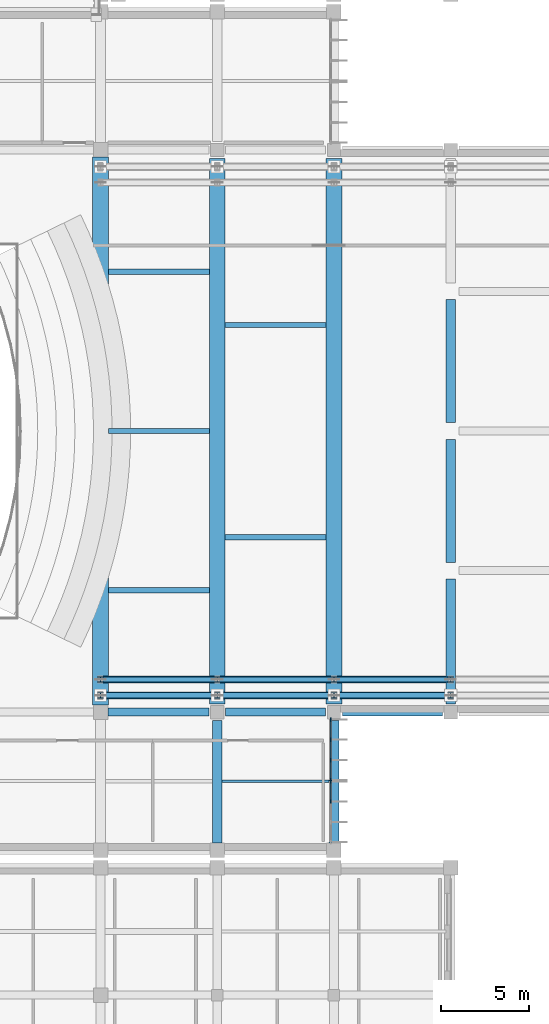
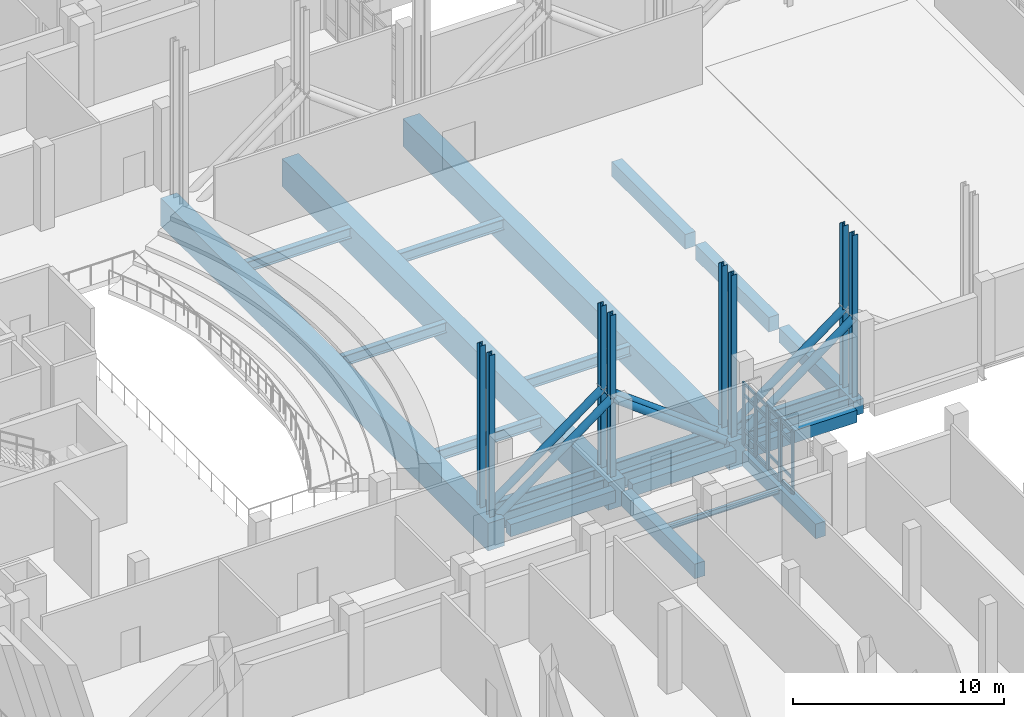
# One storey, part 13 of 73: 42 members, 17 beams, 2 elements without a shape of their own.
"""IFC4 building model written with IfcOpenShell, lengths in metres."""

from ifc_helpers import new_model, si_unit, direction, frame, origin, origin_2d, place, context, subcontext, project, spatial, rectangle, hollow_circle, i_section, extrude, material, layer, layer_set, material_profile, profile_set, type_object, element, aggregate, save


model = new_model("IFC4")

# Units and contexts
model_context = context("Model", 3, precision=1e-05, world=origin(), true_north=direction((0.0, 1.0)))
body_context = subcontext(model_context, "Body", "Model", "MODEL_VIEW")
ifc_project = project(units=[si_unit("LENGTHUNIT", "METRE"), si_unit("AREAUNIT", "SQUARE_METRE"), si_unit("VOLUMEUNIT", "CUBIC_METRE"), si_unit("PLANEANGLEUNIT", "RADIAN"), si_unit("MASSUNIT", "GRAM", prefix="KILO")], contexts=[model_context])

# Site, building, storey
site_placement = place(None, origin())
site = spatial("IfcSite", under=ifc_project, at=site_placement, CompositionType="ELEMENT")
building_placement = place(site_placement, origin())
building = spatial("IfcBuilding", under=site, at=building_placement, Name="Kelarvand Opera House", CompositionType="ELEMENT")
storey_placement = place(building_placement, frame((0.0, 0.0, 10.199951171875)))
storey = spatial("IfcBuildingStorey", under=building, at=storey_placement, Name="L02", CompositionType="ELEMENT", Elevation=10.199951171875)

# Curtain wall, members
ifc_material_1 = material(Name="Thermally broken aluminium and low-E glazing", Category="aluminium")
ifc_layer = layer(ifc_material_1, 0.219970703125, Name="Thermally broken aluminium and low-E glazing", Category="aluminium")
ifc_layer_set = layer_set([ifc_layer], Name="Thermally broken aluminium and low-E glazing")
curtain_wall_type = type_object("IfcCurtainWallType", Name="Unitised Low-E Curtain Wall 3493x3630 Mod 1150 CWF-05", PredefinedType="USERDEFINED", material=ifc_layer_set)
curtain_wall_1_placement = place(storey_placement, origin())
curtain_wall_1 = element("IfcCurtainWall", 1, at=curtain_wall_1_placement, inside=storey, type_object=curtain_wall_type, Name="V1 L02 Curtain Wall CWF-05 (19)", ObjectType="UNITISED CURTAIN WALL", PredefinedType="USERDEFINED")
ifc_material_2 = material(Name="Thermally broken anodised aluminium", Category="aluminium")
ifc_material_profile_1 = material_profile(ifc_material_2, rectangle(XDim=0.074951171875, YDim=0.219970703125, at=origin_2d()), Name="ALU MULLION 75x220", Category="aluminium")
ifc_profile_set_1 = profile_set([ifc_material_profile_1], Name="Thermally broken anodised aluminium")
member_type_1 = type_object("IfcMemberType", Name="Curtain Wall Mullion 75x220 Heavy Plaza", PredefinedType="MULLION", material=ifc_profile_set_1)
member_1_placement = place(storey_placement, frame((128.419921875, 46.177490234375, 0.0), z_axis=(0.0, 0.0, 1.0), x_axis=(1.0, 0.0, 0.0)))
member_1 = element("IfcMember", 2, at=member_1_placement, type_object=member_type_1, Name="CWF-05 mullion 1", PredefinedType="MULLION", context=body_context, shape_type="SweptSolid", body=[
    extrude(rectangle(XDim=0.074951171875, YDim=0.219970703125, at=origin_2d()), origin(), (0.0, 0.0, 1.0), 3.630126953125),
])
member_2_placement = place(storey_placement, frame((128.419921875, 45.050537109375, 0.0), z_axis=(0.0, 0.0, 1.0), x_axis=(1.0, 0.0, 0.0)))
member_2 = element("IfcMember", 3, at=member_2_placement, type_object=member_type_1, Name="CWF-05 mullion 2", PredefinedType="MULLION", context=body_context, shape_type="SweptSolid", body=[
    extrude(rectangle(XDim=0.074951171875, YDim=0.219970703125, at=origin_2d()), origin(), (0.0, 0.0, 1.0), 3.630126953125),
])
member_3_placement = place(storey_placement, frame((128.419921875, 43.885986328125, 0.0), z_axis=(0.0, 0.0, 1.0), x_axis=(1.0, 0.0, 0.0)))
member_3 = element("IfcMember", 4, at=member_3_placement, type_object=member_type_1, Name="CWF-05 mullion 3", PredefinedType="MULLION", context=body_context, shape_type="SweptSolid", body=[
    extrude(rectangle(XDim=0.074951171875, YDim=0.219970703125, at=origin_2d()), origin(), (0.0, 0.0, 1.0), 3.630126953125),
])
member_4_placement = place(storey_placement, frame((128.419921875, 42.759033203125, 0.0), z_axis=(0.0, 0.0, 1.0), x_axis=(1.0, 0.0, 0.0)))
member_4 = element("IfcMember", 5, at=member_4_placement, type_object=member_type_1, Name="CWF-05 mullion 4", PredefinedType="MULLION", context=body_context, shape_type="SweptSolid", body=[
    extrude(rectangle(XDim=0.074951171875, YDim=0.219970703125, at=origin_2d()), origin(), (0.0, 0.0, 1.0), 3.630126953125),
])

curtain_wall_2_placement = place(storey_placement, origin())
curtain_wall_2 = element("IfcCurtainWall", 6, at=curtain_wall_2_placement, inside=storey, type_object=curtain_wall_type, Name="V1 L02 Curtain Wall CWF-05 (20)", ObjectType="UNITISED CURTAIN WALL", PredefinedType="USERDEFINED")
member_5_placement = place(storey_placement, frame((128.419921875, 42.679931640625, 0.0), z_axis=(0.0, 0.0, 1.0), x_axis=(1.0, 0.0, 0.0)))
member_5 = element("IfcMember", 7, at=member_5_placement, type_object=member_type_1, Name="CWF-05 mullion 1", PredefinedType="MULLION", context=body_context, shape_type="SweptSolid", body=[
    extrude(rectangle(XDim=0.074951171875, YDim=0.219970703125, at=origin_2d()), origin(), (0.0, 0.0, 1.0), 3.630126953125),
])
member_6_placement = place(storey_placement, frame((128.419921875, 41.5517578125, 0.0), z_axis=(0.0, 0.0, 1.0), x_axis=(1.0, 0.0, 0.0)))
member_6 = element("IfcMember", 8, at=member_6_placement, type_object=member_type_1, Name="CWF-05 mullion 2", PredefinedType="MULLION", context=body_context, shape_type="SweptSolid", body=[
    extrude(rectangle(XDim=0.074951171875, YDim=0.219970703125, at=origin_2d()), origin(), (0.0, 0.0, 1.0), 3.630126953125),
])

# Member
ifc_material_profile_2 = material_profile(ifc_material_2, rectangle(XDim=0.074951171875, YDim=0.159912109375, at=origin_2d()), Name="ALU TRANSOM 75x160", Category="aluminium")
ifc_profile_set_2 = profile_set([ifc_material_profile_2], Name="Thermally broken anodised aluminium")
member_type_2 = type_object("IfcMemberType", Name="Curtain Wall Transom 75x160 Heavy Plaza", PredefinedType="USERDEFINED", material=ifc_profile_set_2)
member_7_placement = place(storey_placement, frame((128.419921875, 46.139892578125, 0.03759765625), z_axis=(0.0, -1.0, 0.0), x_axis=(1.0, 0.0, 0.0)))
member_7 = element("IfcMember", 9, at=member_7_placement, type_object=member_type_2, Name="CWF-05 transom 1.1", ObjectType="TRANSOM", PredefinedType="USERDEFINED", context=body_context, shape_type="SweptSolid", body=[
    extrude(rectangle(XDim=0.074951171875, YDim=0.159912109375, at=origin_2d()), origin(), (0.0, 0.0, 1.0), 1.052001953125),
])

member_8_placement = place(storey_placement, frame((128.419921875, 46.139892578125, 0.900146484375), z_axis=(0.0, -1.0, 0.0), x_axis=(1.0, 0.0, 0.0)))
member_8 = element("IfcMember", 10, at=member_8_placement, type_object=member_type_2, Name="CWF-05 transom 1.2", ObjectType="TRANSOM", PredefinedType="USERDEFINED", context=body_context, shape_type="SweptSolid", body=[
    extrude(rectangle(XDim=0.074951171875, YDim=0.159912109375, at=origin_2d()), origin(), (0.0, 0.0, 1.0), 1.052001953125),
])

member_9_placement = place(storey_placement, frame((128.419921875, 46.139892578125, 2.929931640625), z_axis=(0.0, -1.0, 0.0), x_axis=(1.0, 0.0, 0.0)))
member_9 = element("IfcMember", 11, at=member_9_placement, type_object=member_type_2, Name="CWF-05 transom 1.3", ObjectType="TRANSOM", PredefinedType="USERDEFINED", context=body_context, shape_type="SweptSolid", body=[
    extrude(rectangle(XDim=0.074951171875, YDim=0.159912109375, at=origin_2d()), origin(), (0.0, 0.0, 1.0), 1.052001953125),
])

member_10_placement = place(storey_placement, frame((128.419921875, 46.139892578125, 3.592529296875), z_axis=(0.0, -1.0, 0.0), x_axis=(1.0, 0.0, 0.0)))
member_10 = element("IfcMember", 12, at=member_10_placement, type_object=member_type_2, Name="CWF-05 transom 1.4", ObjectType="TRANSOM", PredefinedType="USERDEFINED", context=body_context, shape_type="SweptSolid", body=[
    extrude(rectangle(XDim=0.074951171875, YDim=0.159912109375, at=origin_2d()), origin(), (0.0, 0.0, 1.0), 1.052001953125),
])

member_11_placement = place(storey_placement, frame((128.419921875, 45.012939453125, 0.03759765625), z_axis=(0.0, -1.0, 0.0), x_axis=(1.0, 0.0, 0.0)))
member_11 = element("IfcMember", 13, at=member_11_placement, type_object=member_type_2, Name="CWF-05 transom 2.1", ObjectType="TRANSOM", PredefinedType="USERDEFINED", context=body_context, shape_type="SweptSolid", body=[
    extrude(rectangle(XDim=0.074951171875, YDim=0.159912109375, at=origin_2d()), origin(), (0.0, 0.0, 1.0), 1.08935546875),
])

member_12_placement = place(storey_placement, frame((128.419921875, 45.012939453125, 0.900146484375), z_axis=(0.0, -1.0, 0.0), x_axis=(1.0, 0.0, 0.0)))
member_12 = element("IfcMember", 14, at=member_12_placement, type_object=member_type_2, Name="CWF-05 transom 2.2", ObjectType="TRANSOM", PredefinedType="USERDEFINED", context=body_context, shape_type="SweptSolid", body=[
    extrude(rectangle(XDim=0.074951171875, YDim=0.159912109375, at=origin_2d()), origin(), (0.0, 0.0, 1.0), 1.08935546875),
])

member_13_placement = place(storey_placement, frame((128.419921875, 45.012939453125, 2.929931640625), z_axis=(0.0, -1.0, 0.0), x_axis=(1.0, 0.0, 0.0)))
member_13 = element("IfcMember", 15, at=member_13_placement, type_object=member_type_2, Name="CWF-05 transom 2.3", ObjectType="TRANSOM", PredefinedType="USERDEFINED", context=body_context, shape_type="SweptSolid", body=[
    extrude(rectangle(XDim=0.074951171875, YDim=0.159912109375, at=origin_2d()), origin(), (0.0, 0.0, 1.0), 1.08935546875),
])

member_14_placement = place(storey_placement, frame((128.419921875, 45.012939453125, 3.592529296875), z_axis=(0.0, -1.0, 0.0), x_axis=(1.0, 0.0, 0.0)))
member_14 = element("IfcMember", 16, at=member_14_placement, type_object=member_type_2, Name="CWF-05 transom 2.4", ObjectType="TRANSOM", PredefinedType="USERDEFINED", context=body_context, shape_type="SweptSolid", body=[
    extrude(rectangle(XDim=0.074951171875, YDim=0.159912109375, at=origin_2d()), origin(), (0.0, 0.0, 1.0), 1.08935546875),
])

member_15_placement = place(storey_placement, frame((128.419921875, 43.848388671875, 0.03759765625), z_axis=(0.0, -1.0, 0.0), x_axis=(1.0, 0.0, 0.0)))
member_15 = element("IfcMember", 17, at=member_15_placement, type_object=member_type_2, Name="CWF-05 transom 3.1", ObjectType="TRANSOM", PredefinedType="USERDEFINED", context=body_context, shape_type="SweptSolid", body=[
    extrude(rectangle(XDim=0.074951171875, YDim=0.159912109375, at=origin_2d()), origin(), (0.0, 0.0, 1.0), 1.052001953125),
])

member_16_placement = place(storey_placement, frame((128.419921875, 43.848388671875, 0.900146484375), z_axis=(0.0, -1.0, 0.0), x_axis=(1.0, 0.0, 0.0)))
member_16 = element("IfcMember", 18, at=member_16_placement, type_object=member_type_2, Name="CWF-05 transom 3.2", ObjectType="TRANSOM", PredefinedType="USERDEFINED", context=body_context, shape_type="SweptSolid", body=[
    extrude(rectangle(XDim=0.074951171875, YDim=0.159912109375, at=origin_2d()), origin(), (0.0, 0.0, 1.0), 1.052001953125),
])

member_17_placement = place(storey_placement, frame((128.419921875, 43.848388671875, 2.929931640625), z_axis=(0.0, -1.0, 0.0), x_axis=(1.0, 0.0, 0.0)))
member_17 = element("IfcMember", 19, at=member_17_placement, type_object=member_type_2, Name="CWF-05 transom 3.3", ObjectType="TRANSOM", PredefinedType="USERDEFINED", context=body_context, shape_type="SweptSolid", body=[
    extrude(rectangle(XDim=0.074951171875, YDim=0.159912109375, at=origin_2d()), origin(), (0.0, 0.0, 1.0), 1.052001953125),
])

member_18_placement = place(storey_placement, frame((128.419921875, 43.848388671875, 3.592529296875), z_axis=(0.0, -1.0, 0.0), x_axis=(1.0, 0.0, 0.0)))
member_18 = element("IfcMember", 20, at=member_18_placement, type_object=member_type_2, Name="CWF-05 transom 3.4", ObjectType="TRANSOM", PredefinedType="USERDEFINED", context=body_context, shape_type="SweptSolid", body=[
    extrude(rectangle(XDim=0.074951171875, YDim=0.159912109375, at=origin_2d()), origin(), (0.0, 0.0, 1.0), 1.052001953125),
])

aggregate(curtain_wall_1, [member_1, member_2, member_3, member_4, member_7, member_8, member_9, member_10, member_11, member_12, member_13, member_14, member_15, member_16, member_17, member_18])

member_19_placement = place(storey_placement, frame((128.419921875, 42.642578125, 0.03759765625), z_axis=(0.0, -1.0, 0.0), x_axis=(1.0, 0.0, 0.0)))
member_19 = element("IfcMember", 21, at=member_19_placement, type_object=member_type_2, Name="CWF-05 transom 1.1", ObjectType="TRANSOM", PredefinedType="USERDEFINED", context=body_context, shape_type="SweptSolid", body=[
    extrude(rectangle(XDim=0.074951171875, YDim=0.159912109375, at=origin_2d()), origin(), (0.0, 0.0, 1.0), 1.053466796875),
])

member_20_placement = place(storey_placement, frame((128.419921875, 42.642578125, 0.900146484375), z_axis=(0.0, -1.0, 0.0), x_axis=(1.0, 0.0, 0.0)))
member_20 = element("IfcMember", 22, at=member_20_placement, type_object=member_type_2, Name="CWF-05 transom 1.2", ObjectType="TRANSOM", PredefinedType="USERDEFINED", context=body_context, shape_type="SweptSolid", body=[
    extrude(rectangle(XDim=0.074951171875, YDim=0.159912109375, at=origin_2d()), origin(), (0.0, 0.0, 1.0), 1.053466796875),
])

member_21_placement = place(storey_placement, frame((128.419921875, 42.642578125, 2.929931640625), z_axis=(0.0, -1.0, 0.0), x_axis=(1.0, 0.0, 0.0)))
member_21 = element("IfcMember", 23, at=member_21_placement, type_object=member_type_2, Name="CWF-05 transom 1.3", ObjectType="TRANSOM", PredefinedType="USERDEFINED", context=body_context, shape_type="SweptSolid", body=[
    extrude(rectangle(XDim=0.074951171875, YDim=0.159912109375, at=origin_2d()), origin(), (0.0, 0.0, 1.0), 1.053466796875),
])

member_22_placement = place(storey_placement, frame((128.419921875, 42.642578125, 3.592529296875), z_axis=(0.0, -1.0, 0.0), x_axis=(1.0, 0.0, 0.0)))
member_22 = element("IfcMember", 24, at=member_22_placement, type_object=member_type_2, Name="CWF-05 transom 1.4", ObjectType="TRANSOM", PredefinedType="USERDEFINED", context=body_context, shape_type="SweptSolid", body=[
    extrude(rectangle(XDim=0.074951171875, YDim=0.159912109375, at=origin_2d()), origin(), (0.0, 0.0, 1.0), 1.053466796875),
])

aggregate(curtain_wall_2, [member_5, member_6, member_19, member_20, member_21, member_22])

# Beams
ifc_material_3 = material(Name="Concrete C40/50", Category="concrete")
ifc_material_profile_3 = material_profile(ifc_material_3, rectangle(XDim=0.449951171875, YDim=0.699951171875, at=origin_2d()), Name="RC 450x700", Category="concrete")
ifc_profile_set_3 = profile_set([ifc_material_profile_3], Name="Concrete C40/50")
beam_type_1 = type_object("IfcBeamType", Name="Structural Beam RC 450x700 BM-RC450x700", PredefinedType="BEAM", material=ifc_profile_set_3)
beam_1_placement = place(storey_placement, frame((115.81005859375, 46.60009765625, -0.669921875), z_axis=(1.0, 0.0, 0.0), x_axis=(0.0, 1.0, 0.0)))
element("IfcBeam", 25, at=beam_1_placement, inside=storey, type_object=beam_type_1, Name="V1 L02 Beam BM-RC450x700", PredefinedType="BEAM", context=body_context, shape_type="SweptSolid", body=[
    extrude(rectangle(XDim=0.449951171875, YDim=0.699951171875, at=origin_2d()), origin(), (0.0, 0.0, 1.0), 5.71484375),
])
beam_2_placement = place(storey_placement, frame((122.47509765625, 46.60009765625, -0.669921875), z_axis=(1.0, 0.0, 0.0), x_axis=(0.0, 1.0, 0.0)))
element("IfcBeam", 26, at=beam_2_placement, inside=storey, type_object=beam_type_1, Name="V1 L02 Beam BM-RC450x700", PredefinedType="BEAM", context=body_context, shape_type="SweptSolid", body=[
    extrude(rectangle(XDim=0.449951171875, YDim=0.699951171875, at=origin_2d()), origin(), (0.0, 0.0, 1.0), 5.64990234375),
])
beam_3_placement = place(storey_placement, frame((129.074951171875, 46.60009765625, -0.669921875), z_axis=(1.0, 0.0, 0.0), x_axis=(0.0, 1.0, 0.0)))
element("IfcBeam", 27, at=beam_3_placement, inside=storey, type_object=beam_type_1, Name="V1 L02 Beam BM-RC450x700", PredefinedType="BEAM", context=body_context, shape_type="SweptSolid", body=[
    extrude(rectangle(XDim=0.449951171875, YDim=0.699951171875, at=origin_2d()), origin(), (0.0, 0.0, 1.0), 5.650146484375),
])
ifc_material_profile_4 = material_profile(ifc_material_3, rectangle(XDim=0.550048828125, YDim=0.85009765625, at=origin_2d()), Name="RC 550x850", Category="concrete")
ifc_profile_set_4 = profile_set([ifc_material_profile_4], Name="Concrete C40/50")
beam_type_2 = type_object("IfcBeamType", Name="Structural Beam RC 550x850 BM-RC550x850", PredefinedType="BEAM", material=ifc_profile_set_4)
for number, where, z_axis, x_axis, name in (
    (28, (122.0, 39.2099609375, -0.744873046875), (0.0, 1.0, 0.0), (-1.0, 0.0, 0.0), "V1 L02 Beam BM-RC550x850"),
    (29, (128.60009765625, 39.2099609375, -0.744873046875), (0.0, 1.0, 0.0), (-1.0, 0.0, 0.0), "V1 L02 Beam BM-RC550x850"),
):
    element("IfcBeam", number, at=place(storey_placement, frame(where, z_axis=z_axis, x_axis=x_axis)), inside=storey, type_object=beam_type_2, Name=name, PredefinedType="BEAM", context=body_context, shape_type="SweptSolid", body=[
        extrude(rectangle(XDim=0.550048828125, YDim=0.85009765625, at=origin_2d()), origin(), (0.0, 0.0, 1.0), 6.9150390625),
    ])
beam_4_placement = place(storey_placement, frame((135.199951171875, 47.074951171875, -0.744873046875), z_axis=(0.0, 1.0, 0.0), x_axis=(-1.0, 0.0, 0.0)))
element("IfcBeam", 30, at=beam_4_placement, inside=storey, type_object=beam_type_2, Name="V1 L02 Beam BM-RC550x850", PredefinedType="BEAM", context=body_context, shape_type="SweptSolid", body=[
    extrude(rectangle(XDim=0.550048828125, YDim=0.85009765625, at=origin_2d()), origin(), (0.0, 0.0, 1.0), 7.050048828125),
])
for number, where, z_axis, x_axis, name in (
    (31, (135.199951171875, 55.074951171875, -0.744873046875), (0.0, 1.0, 0.0), (-1.0, 0.0, 0.0), "V1 L02 Beam BM-RC550x850"),
    (32, (135.199951171875, 62.97509765625, -0.744873046875), (0.0, 1.0, 0.0), (-1.0, 0.0, 0.0), "V1 L02 Beam BM-RC550x850"),
):
    element("IfcBeam", number, at=place(storey_placement, frame(where, z_axis=z_axis, x_axis=x_axis)), inside=storey, type_object=beam_type_2, Name=name, PredefinedType="BEAM", context=body_context, shape_type="SweptSolid", body=[
        extrude(rectangle(XDim=0.550048828125, YDim=0.85009765625, at=origin_2d()), origin(), (0.0, 0.0, 1.0), 6.949951171875),
    ])
ifc_material_profile_5 = material_profile(ifc_material_3, rectangle(XDim=0.89990234375, YDim=1.60009765625, at=origin_2d()), Name="RC 900x1600", Category="concrete")
ifc_profile_set_5 = profile_set([ifc_material_profile_5], Name="Concrete C40/50")
beam_type_3 = type_object("IfcBeamType", Name="Structural Beam RC 900x1600 BM-RC900x1600", PredefinedType="BEAM", material=ifc_profile_set_5)
beam_5_placement = place(storey_placement, frame((115.39990234375, 47.010009765625, -1.119873046875), z_axis=(0.0, 1.0, 0.0), x_axis=(-1.0, 0.0, 0.0)))
element("IfcBeam", 33, at=beam_5_placement, inside=storey, type_object=beam_type_3, Name="V1 L02 Beam BM-RC900x1600", PredefinedType="BEAM", context=body_context, shape_type="SweptSolid", body=[
    extrude(rectangle(XDim=0.89990234375, YDim=1.60009765625, at=origin_2d()), origin(), (0.0, 0.0, 1.0), 30.97998046875),
])
for number, where, z_axis, x_axis, name in (
    (34, (122.0, 47.074951171875, -1.119873046875), (0.0, 1.0, 0.0), (-1.0, 0.0, 0.0), "V1 L02 Beam BM-RC900x1600"),
    (35, (128.60009765625, 47.074951171875, -1.119873046875), (0.0, 1.0, 0.0), (-1.0, 0.0, 0.0), "V1 L02 Beam BM-RC900x1600"),
):
    element("IfcBeam", number, at=place(storey_placement, frame(where, z_axis=z_axis, x_axis=x_axis)), inside=storey, type_object=beam_type_3, Name=name, PredefinedType="BEAM", context=body_context, shape_type="SweptSolid", body=[
        extrude(rectangle(XDim=0.89990234375, YDim=1.60009765625, at=origin_2d()), origin(), (0.0, 0.0, 1.0), 30.85009765625),
    ])

# Members
ifc_material_4 = material(Name="Steel S355", Category="steel")
ifc_material_profile_6 = material_profile(ifc_material_4, hollow_circle(Radius=0.203125, WallThickness=0.02001953125, at=origin_2d()), Name="CHS 406.4x20.0", Category="steel")
ifc_profile_set_6 = profile_set([ifc_material_profile_6], Name="Steel S355")
member_type_3 = type_object("IfcMemberType", Name="Structural Brace CHS 406.4x20.0 BR-CHS406", PredefinedType="BRACE", material=ifc_profile_set_6)
for number, where, z_axis, x_axis, name in (
    (36, (115.39990234375, 47.550048828125, -0.77001953125), (0.802905894213, 0.0, 0.596105800205), (0.0, 1.0, 0.0), "Cantilever Truss CT1 Lower Diagonal 1"),
    (37, (122.0, 47.550048828125, 4.130126953125), (0.802905894213, 0.0, -0.596105800205), (0.0, 1.0, 0.0), "Cantilever Truss CT1 Lower Diagonal 2"),
):
    element("IfcMember", number, at=place(storey_placement, frame(where, z_axis=z_axis, x_axis=x_axis)), inside=storey, type_object=member_type_3, Name=name, PredefinedType="BRACE", context=body_context, shape_type="SweptSolid", body=[
        extrude(hollow_circle(Radius=0.203125, WallThickness=0.02001953125, at=origin_2d()), origin(), (0.0, 0.0, 1.0), 8.22021484375),
    ])
member_23_placement = place(storey_placement, frame((128.60009765625, 47.550048828125, -0.77001953125), z_axis=(0.802895340226, 0.0, 0.596120015302), x_axis=(0.0, 1.0, 0.0)))
element("IfcMember", 38, at=member_23_placement, inside=storey, type_object=member_type_3, Name="Cantilever Truss CT1 Lower Diagonal 3", PredefinedType="BRACE", context=body_context, shape_type="SweptSolid", body=[
    extrude(hollow_circle(Radius=0.203125, WallThickness=0.02001953125, at=origin_2d()), origin(), (0.0, 0.0, 1.0), 8.219970703125),
])
for number, where, z_axis, x_axis, name in (
    (39, (115.39990234375, 48.449951171875, -0.77001953125), (0.802905894213, 0.0, 0.596105800205), (0.0, 1.0, 0.0), "Cantilever Truss CT2 Lower Diagonal 1"),
    (40, (122.0, 48.449951171875, 4.130126953125), (0.802905894213, 0.0, -0.596105800205), (0.0, 1.0, 0.0), "Cantilever Truss CT2 Lower Diagonal 2"),
):
    element("IfcMember", number, at=place(storey_placement, frame(where, z_axis=z_axis, x_axis=x_axis)), inside=storey, type_object=member_type_3, Name=name, PredefinedType="BRACE", context=body_context, shape_type="SweptSolid", body=[
        extrude(hollow_circle(Radius=0.203125, WallThickness=0.02001953125, at=origin_2d()), origin(), (0.0, 0.0, 1.0), 8.22021484375),
    ])
member_24_placement = place(storey_placement, frame((128.60009765625, 48.449951171875, -0.77001953125), z_axis=(0.802895340226, 0.0, 0.596120015302), x_axis=(0.0, 1.0, 0.0)))
element("IfcMember", 41, at=member_24_placement, inside=storey, type_object=member_type_3, Name="Cantilever Truss CT2 Lower Diagonal 3", PredefinedType="BRACE", context=body_context, shape_type="SweptSolid", body=[
    extrude(hollow_circle(Radius=0.203125, WallThickness=0.02001953125, at=origin_2d()), origin(), (0.0, 0.0, 1.0), 8.219970703125),
])
ifc_material_profile_7 = material_profile(ifc_material_4, i_section(OverallWidth=0.300048828125, OverallDepth=0.89990234375, WebThickness=0.0185546875, FlangeThickness=0.034912109375, at=origin_2d()), Name="HEB 900", Category="steel")
ifc_profile_set_7 = profile_set([ifc_material_profile_7], Name="Steel S355")
member_type_4 = type_object("IfcMemberType", Name="Structural Chord HEB 900 CH-HEB900", PredefinedType="CHORD", material=ifc_profile_set_7)
for number, where, z_axis, x_axis, name in (
    (42, (115.39990234375, 47.550048828125, -0.77001953125), (1.0, 0.0, 0.0), (0.0, 1.0, 0.0), "Cantilever Truss CT1 Bottom Chord 1"),
    (43, (122.0, 47.550048828125, -0.77001953125), (1.0, 0.0, 0.0), (0.0, 1.0, 0.0), "Cantilever Truss CT1 Bottom Chord 2"),
):
    element("IfcMember", number, at=place(storey_placement, frame(where, z_axis=z_axis, x_axis=x_axis)), inside=storey, type_object=member_type_4, Name=name, PredefinedType="CHORD", context=body_context, shape_type="SweptSolid", body=[
        extrude(i_section(OverallWidth=0.300048828125, OverallDepth=0.89990234375, WebThickness=0.0185546875, FlangeThickness=0.034912109375, at=origin_2d()), origin(), (0.0, 0.0, 1.0), 6.60009765625),
    ])
member_25_placement = place(storey_placement, frame((128.60009765625, 47.550048828125, -0.77001953125), z_axis=(1.0, 0.0, 0.0), x_axis=(0.0, 1.0, 0.0)))
element("IfcMember", 44, at=member_25_placement, inside=storey, type_object=member_type_4, Name="Cantilever Truss CT1 Bottom Chord 3", PredefinedType="CHORD", context=body_context, shape_type="SweptSolid", body=[
    extrude(i_section(OverallWidth=0.300048828125, OverallDepth=0.89990234375, WebThickness=0.0185546875, FlangeThickness=0.034912109375, at=origin_2d()), origin(), (0.0, 0.0, 1.0), 6.599853515625),
])
for number, where, z_axis, x_axis, name in (
    (45, (115.39990234375, 48.449951171875, -0.77001953125), (1.0, 0.0, 0.0), (0.0, 1.0, 0.0), "Cantilever Truss CT2 Bottom Chord 1"),
    (46, (122.0, 48.449951171875, -0.77001953125), (1.0, 0.0, 0.0), (0.0, 1.0, 0.0), "Cantilever Truss CT2 Bottom Chord 2"),
):
    element("IfcMember", number, at=place(storey_placement, frame(where, z_axis=z_axis, x_axis=x_axis)), inside=storey, type_object=member_type_4, Name=name, PredefinedType="CHORD", context=body_context, shape_type="SweptSolid", body=[
        extrude(i_section(OverallWidth=0.300048828125, OverallDepth=0.89990234375, WebThickness=0.0185546875, FlangeThickness=0.034912109375, at=origin_2d()), origin(), (0.0, 0.0, 1.0), 6.60009765625),
    ])
member_26_placement = place(storey_placement, frame((128.60009765625, 48.449951171875, -0.77001953125), z_axis=(1.0, 0.0, 0.0), x_axis=(0.0, 1.0, 0.0)))
element("IfcMember", 47, at=member_26_placement, inside=storey, type_object=member_type_4, Name="Cantilever Truss CT2 Bottom Chord 3", PredefinedType="CHORD", context=body_context, shape_type="SweptSolid", body=[
    extrude(i_section(OverallWidth=0.300048828125, OverallDepth=0.89990234375, WebThickness=0.0185546875, FlangeThickness=0.034912109375, at=origin_2d()), origin(), (0.0, 0.0, 1.0), 6.599853515625),
])

# Beam
ifc_material_profile_8 = material_profile(ifc_material_4, i_section(OverallWidth=0.14990234375, OverallDepth=0.300048828125, WebThickness=0.007080078125, FlangeThickness=0.0107421875, at=origin_2d()), Name="IPE 300", Category="steel")
ifc_profile_set_8 = profile_set([ifc_material_profile_8], Name="Steel S355")
beam_type_4 = type_object("IfcBeamType", Name="Structural Joist IPE 300 JS-IPE300", PredefinedType="JOIST", material=ifc_profile_set_8)
beam_6_placement = place(storey_placement, frame((122.27490234375, 42.699951171875, -0.469970703125), z_axis=(1.0, 0.0, 0.0), x_axis=(0.0, 1.0, 0.0)))
element("IfcBeam", 48, at=beam_6_placement, inside=storey, type_object=beam_type_4, Name="V1 L02 Beam JS-IPE300", PredefinedType="JOIST", context=body_context, shape_type="SweptSolid", body=[
    extrude(i_section(OverallWidth=0.14990234375, OverallDepth=0.300048828125, WebThickness=0.007080078125, FlangeThickness=0.0107421875, at=origin_2d()), origin(), (0.0, 0.0, 1.0), 6.050048828125),
])

# Members
ifc_material_profile_9 = material_profile(ifc_material_4, i_section(OverallWidth=0.300048828125, OverallDepth=0.320068359375, WebThickness=0.011474609375, FlangeThickness=0.0205078125, at=origin_2d()), Name="HEB 320", Category="steel")
ifc_profile_set_9 = profile_set([ifc_material_profile_9], Name="Steel S355")
member_type_5 = type_object("IfcMemberType", Name="Structural Post HEB 320 PS-HEB320", PredefinedType="POST", material=ifc_profile_set_9)
for number, where, z_axis, x_axis, name in (
    (49, (115.39990234375, 47.550048828125, -0.77001953125), (0.0, 0.0, 1.0), (1.0, 0.0, 0.0), "Cantilever Truss CT1 Vertical Post 1"),
    (50, (122.0, 47.550048828125, -0.77001953125), (0.0, 0.0, 1.0), (1.0, 0.0, 0.0), "Cantilever Truss CT1 Vertical Post 2"),
    (51, (128.60009765625, 47.550048828125, -0.77001953125), (0.0, 0.0, 1.0), (1.0, 0.0, 0.0), "Cantilever Truss CT1 Vertical Post 3"),
    (52, (135.199951171875, 47.550048828125, -0.77001953125), (0.0, 0.0, 1.0), (1.0, 0.0, 0.0), "Cantilever Truss CT1 Vertical Post 4"),
    (53, (115.39990234375, 48.449951171875, -0.77001953125), (0.0, 0.0, 1.0), (1.0, 0.0, 0.0), "Cantilever Truss CT2 Vertical Post 1"),
    (54, (122.0, 48.449951171875, -0.77001953125), (0.0, 0.0, 1.0), (1.0, 0.0, 0.0), "Cantilever Truss CT2 Vertical Post 2"),
    (55, (128.60009765625, 48.449951171875, -0.77001953125), (0.0, 0.0, 1.0), (1.0, 0.0, 0.0), "Cantilever Truss CT2 Vertical Post 3"),
    (56, (135.199951171875, 48.449951171875, -0.77001953125), (0.0, 0.0, 1.0), (1.0, 0.0, 0.0), "Cantilever Truss CT2 Vertical Post 4"),
):
    element("IfcMember", number, at=place(storey_placement, frame(where, z_axis=z_axis, x_axis=x_axis)), inside=storey, type_object=member_type_5, Name=name, PredefinedType="POST", context=body_context, shape_type="SweptSolid", body=[
        extrude(i_section(OverallWidth=0.300048828125, OverallDepth=0.320068359375, WebThickness=0.011474609375, FlangeThickness=0.0205078125, at=origin_2d()), origin(), (0.0, 0.0, 1.0), 9.7900390625),
    ])

# Beams
ifc_material_profile_10 = material_profile(ifc_material_4, i_section(OverallWidth=0.300048828125, OverallDepth=0.60009765625, WebThickness=0.015380859375, FlangeThickness=0.030029296875, at=origin_2d()), Name="HEB 600", Category="steel")
ifc_profile_set_10 = profile_set([ifc_material_profile_10], Name="Steel S355")
beam_type_5 = type_object("IfcBeamType", Name="Structural Raker HEB 600 RK-HEB600", PredefinedType="USERDEFINED", material=ifc_profile_set_10)
for number, where, z_axis, x_axis, name in (
    (57, (115.85009765625, 53.5, -0.619873046875), (1.0, 0.0, 0.0), (0.0, 1.0, 0.0), "Tier 1 Raker Beam 1"),
    (58, (115.85009765625, 62.5, -0.619873046875), (1.0, 0.0, 0.0), (0.0, 1.0, 0.0), "Tier 1 Raker Beam 2"),
    (59, (115.85009765625, 71.5, -0.619873046875), (1.0, 0.0, 0.0), (0.0, 1.0, 0.0), "Tier 1 Raker Beam 3"),
    (60, (122.449951171875, 56.5, -0.619873046875), (1.0, 0.0, 0.0), (0.0, 1.0, 0.0), "Tier 1 Raker Beam 4"),
    (61, (122.449951171875, 68.5, -0.619873046875), (1.0, 0.0, 0.0), (0.0, 1.0, 0.0), "Tier 1 Raker Beam 5"),
):
    element("IfcBeam", number, at=place(storey_placement, frame(where, z_axis=z_axis, x_axis=x_axis)), inside=storey, type_object=beam_type_5, Name=name, ObjectType="RAKER", PredefinedType="USERDEFINED", context=body_context, shape_type="SweptSolid", body=[
        extrude(i_section(OverallWidth=0.300048828125, OverallDepth=0.60009765625, WebThickness=0.015380859375, FlangeThickness=0.030029296875, at=origin_2d()), origin(), (0.0, 0.0, 1.0), 5.699951171875),
    ])

save(model, "model.ifc")
